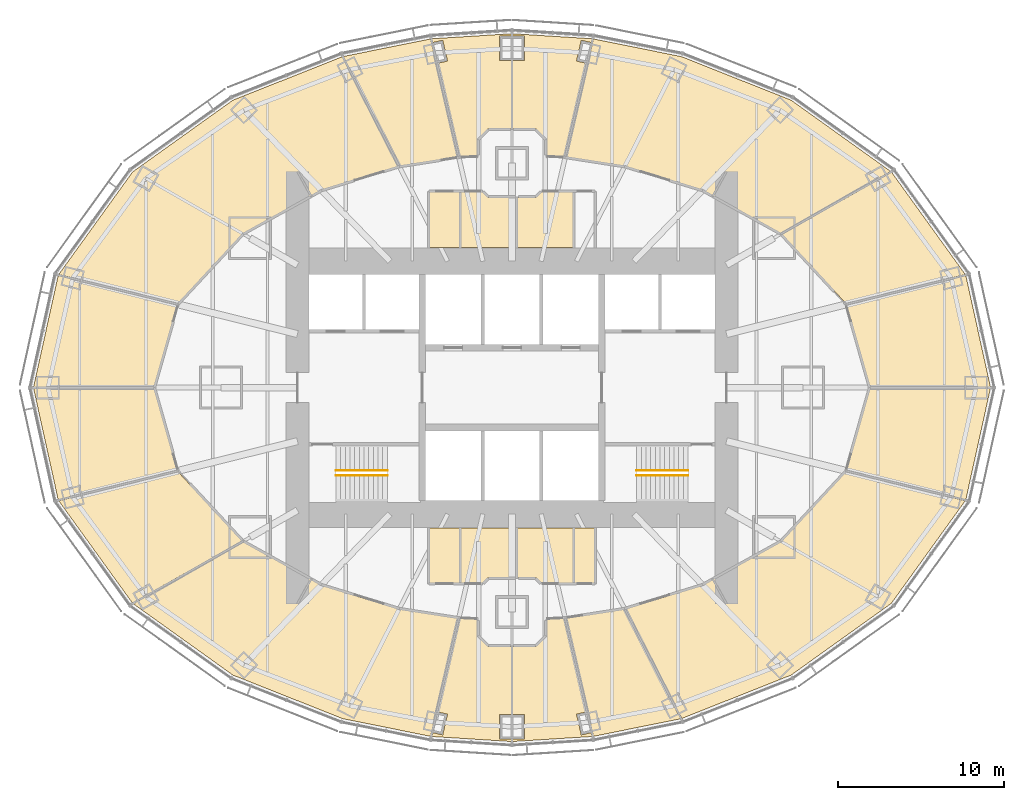
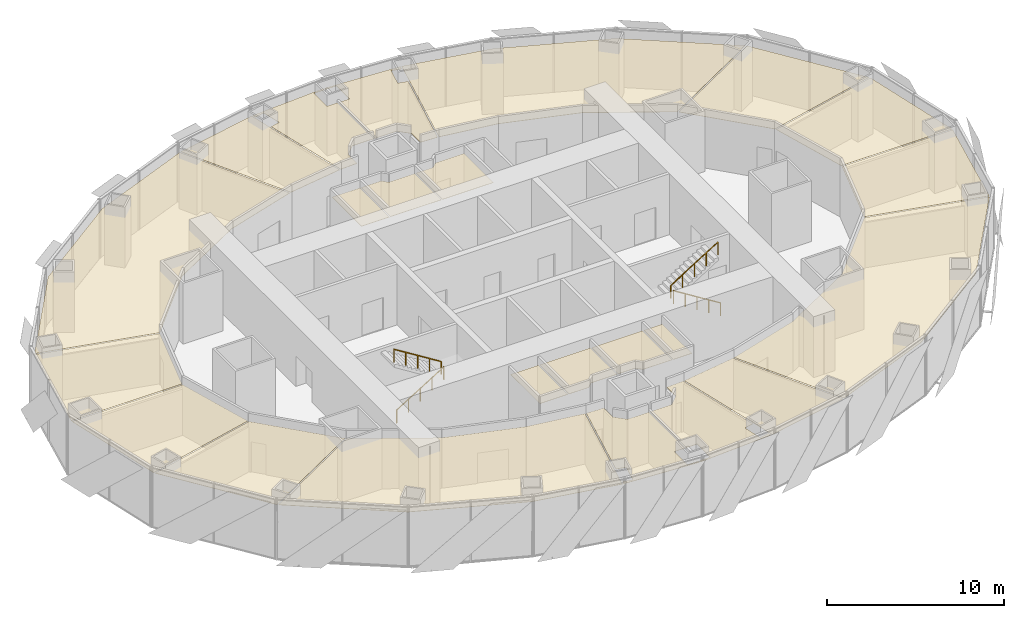
# One storey, part 17 of 17: 23 coverings, 4 railings.
"""IFC4 building model written with IfcOpenShell, lengths in metres."""

from ifc_helpers import new_model, si_unit, direction, frame, origin, origin_2d, place, context, subcontext, project, spatial, polyline, circle, outline, extrude, material, layer, layer_set, type_object, element, save


model = new_model("IFC4")

# Units and contexts
model_context = context("Model", 3, precision=1e-05, world=origin(), true_north=direction((0.0, 1.0)))
body_context = subcontext(model_context, "Body", "Model", "MODEL_VIEW")
ifc_project = project(units=[si_unit("LENGTHUNIT", "METRE"), si_unit("AREAUNIT", "SQUARE_METRE"), si_unit("VOLUMEUNIT", "CUBIC_METRE"), si_unit("PLANEANGLEUNIT", "RADIAN"), si_unit("MASSUNIT", "GRAM", prefix="KILO")], contexts=[model_context])

# Site, building, storey
site_placement = place(None, origin())
site = spatial("IfcSite", under=ifc_project, at=site_placement, CompositionType="ELEMENT")
building_placement = place(site_placement, origin())
building = spatial("IfcBuilding", under=site, at=building_placement, Name="Lantaw Convention Tower", CompositionType="ELEMENT")
storey_placement = place(building_placement, frame((0.0, 0.0, 163.60009765625)))
storey = spatial("IfcBuildingStorey", under=building, at=storey_placement, Name="L38", CompositionType="ELEMENT", Elevation=163.60009765625)

# Railings
ifc_material_1 = material(Name="Stainless steel", Category="steel")
railing_type = type_object("IfcRailingType", Name="Stair handrail", PredefinedType="HANDRAIL", material=ifc_material_1)
railing_1_placement = place(storey_placement, frame((-10.580078125, -5.280029296875, 0.1748046875)))
element("IfcRailing", 1, at=railing_1_placement, inside=storey, type_object=railing_type, Name="Stair handrail S1", PredefinedType="HANDRAIL", context=body_context, shape_type="SweptSolid", body=[
    extrude(circle(Radius=0.02392578125, at=origin_2d()), frame((0.0, 0.0, 0.8759765625), z_axis=(0.847998304005, 0.0, 0.529998940003), x_axis=(0.0, 1.0, 0.0)), (0.0, 0.0, 1.0), 3.632080078125),
    extrude(circle(Radius=0.02099609375, at=origin_2d()), origin(), (0.0, 0.0, 1.0), 0.851806640625),
    extrude(circle(Radius=0.02099609375, at=origin_2d()), frame((0.77001953125, 0.0, 0.481201171875)), (0.0, 0.0, 1.0), 0.851806640625),
    extrude(circle(Radius=0.02099609375, at=origin_2d()), frame((1.5400390625, 0.0, 0.96240234375)), (0.0, 0.0, 1.0), 0.851806640625),
    extrude(circle(Radius=0.02099609375, at=origin_2d()), frame((2.31005859375, 0.0, 1.44384765625)), (0.0, 0.0, 1.0), 0.851806640625),
    extrude(circle(Radius=0.02099609375, at=origin_2d()), frame((3.080078125, 0.0, 1.925048828125)), (0.0, 0.0, 1.0), 0.851806640625),
])
for number, where, name in (
    (2, (-7.5, -4.97998046875, 2.27490234375), "Stair handrail S1"),
    (3, (10.580078125, -5.280029296875, 0.1748046875), "Stair handrail S2"),
):
    element("IfcRailing", number, at=place(storey_placement, frame(where)), inside=storey, type_object=railing_type, Name=name, PredefinedType="HANDRAIL", context=body_context, shape_type="SweptSolid", body=[
        extrude(circle(Radius=0.02392578125, at=origin_2d()), frame((0.0, 0.0, 0.8759765625), z_axis=(-0.847998304005, 0.0, 0.529998940003), x_axis=(0.0, -1.0, 0.0)), (0.0, 0.0, 1.0), 3.632080078125),
        extrude(circle(Radius=0.02099609375, at=origin_2d()), origin(), (0.0, 0.0, 1.0), 0.851806640625),
        extrude(circle(Radius=0.02099609375, at=origin_2d()), frame((-0.77001953125, 0.0, 0.481201171875)), (0.0, 0.0, 1.0), 0.851806640625),
        extrude(circle(Radius=0.02099609375, at=origin_2d()), frame((-1.5400390625, 0.0, 0.96240234375)), (0.0, 0.0, 1.0), 0.851806640625),
        extrude(circle(Radius=0.02099609375, at=origin_2d()), frame((-2.31005859375, 0.0, 1.44384765625)), (0.0, 0.0, 1.0), 0.851806640625),
        extrude(circle(Radius=0.02099609375, at=origin_2d()), frame((-3.080078125, 0.0, 1.925048828125)), (0.0, 0.0, 1.0), 0.851806640625),
    ])
railing_2_placement = place(storey_placement, frame((7.5, -4.97998046875, 2.27490234375)))
element("IfcRailing", 4, at=railing_2_placement, inside=storey, type_object=railing_type, Name="Stair handrail S2", PredefinedType="HANDRAIL", context=body_context, shape_type="SweptSolid", body=[
    extrude(circle(Radius=0.02392578125, at=origin_2d()), frame((0.0, 0.0, 0.8759765625), z_axis=(0.847998304005, 0.0, 0.529998940003), x_axis=(0.0, 1.0, 0.0)), (0.0, 0.0, 1.0), 3.632080078125),
    extrude(circle(Radius=0.02099609375, at=origin_2d()), origin(), (0.0, 0.0, 1.0), 0.851806640625),
    extrude(circle(Radius=0.02099609375, at=origin_2d()), frame((0.77001953125, 0.0, 0.481201171875)), (0.0, 0.0, 1.0), 0.851806640625),
    extrude(circle(Radius=0.02099609375, at=origin_2d()), frame((1.5400390625, 0.0, 0.96240234375)), (0.0, 0.0, 1.0), 0.851806640625),
    extrude(circle(Radius=0.02099609375, at=origin_2d()), frame((2.31005859375, 0.0, 1.44384765625)), (0.0, 0.0, 1.0), 0.851806640625),
    extrude(circle(Radius=0.02099609375, at=origin_2d()), frame((3.080078125, 0.0, 1.925048828125)), (0.0, 0.0, 1.0), 0.851806640625),
])

# Coverings
ifc_material_2 = material(Name="Gypsum board on steel suspension grid", Category="steel")
ifc_layer = layer(ifc_material_2, 0.02001953125)
ifc_layer_set = layer_set([ifc_layer], Name="Suspended ceiling")
covering_type = type_object("IfcCoveringType", Name="Suspended ceiling", PredefinedType="CEILING", material=ifc_layer_set)
covering_1_placement = place(storey_placement, frame((0.0, 0.0, 3.449951171875)))
element("IfcCovering", 5, at=covering_1_placement, inside=storey, type_object=covering_type, Name="Accessible WC ceiling", PredefinedType="CEILING", context=body_context, shape_type="SweptSolid", body=[
    extrude(outline(polyline([(-4.9599609375, 8.43994140625), (-3.139892578125, 8.43994140625), (-3.139892578125, 11.760009765625), (-4.9599609375, 11.760009765625), (-4.9599609375, 8.43994140625)])), origin(), (0.0, 0.0, 1.0), 0.02001953125),
])
covering_2_placement = place(storey_placement, frame((0.0, 0.0, 3.449951171875)))
element("IfcCovering", 6, at=covering_2_placement, inside=storey, type_object=covering_type, Name="Male WC ceiling", PredefinedType="CEILING", context=body_context, shape_type="SweptSolid", body=[
    extrude(outline(polyline([(-3.06005859375, 11.760009765625), (-3.06005859375, 8.43994140625), (0.260009765625, 8.43994140625), (0.260009765625, 11.43505859375), (-1.441162109375, 11.43505859375), (-1.76611328125, 11.760009765625), (-3.06005859375, 11.760009765625)])), origin(), (0.0, 0.0, 1.0), 0.02001953125),
])
covering_3_placement = place(storey_placement, frame((0.0, 0.0, 3.449951171875)))
element("IfcCovering", 7, at=covering_3_placement, inside=storey, type_object=covering_type, Name="Female WC ceiling", PredefinedType="CEILING", context=body_context, shape_type="SweptSolid", body=[
    extrude(outline(polyline([(0.340087890625, 11.43505859375), (0.340087890625, 8.43994140625), (3.659912109375, 8.43994140625), (3.659912109375, 11.760009765625), (1.76611328125, 11.760009765625), (1.441162109375, 11.43505859375), (0.340087890625, 11.43505859375)])), origin(), (0.0, 0.0, 1.0), 0.02001953125),
])
covering_4_placement = place(storey_placement, frame((0.0, 0.0, 3.449951171875)))
element("IfcCovering", 8, at=covering_4_placement, inside=storey, type_object=covering_type, Name="Accessible WC ceiling", PredefinedType="CEILING", context=body_context, shape_type="SweptSolid", body=[
    extrude(outline(polyline([(-4.9599609375, -11.760009765625), (-3.139892578125, -11.760009765625), (-3.139892578125, -8.43994140625), (-4.9599609375, -8.43994140625), (-4.9599609375, -11.760009765625)])), origin(), (0.0, 0.0, 1.0), 0.02001953125),
])
covering_5_placement = place(storey_placement, frame((0.0, 0.0, 3.449951171875)))
element("IfcCovering", 9, at=covering_5_placement, inside=storey, type_object=covering_type, Name="Male WC ceiling", PredefinedType="CEILING", context=body_context, shape_type="SweptSolid", body=[
    extrude(outline(polyline([(-3.06005859375, -8.43994140625), (-3.06005859375, -11.760009765625), (-1.76611328125, -11.760009765625), (-1.441162109375, -11.43505859375), (0.260009765625, -11.43505859375), (0.260009765625, -8.43994140625), (-3.06005859375, -8.43994140625)])), origin(), (0.0, 0.0, 1.0), 0.02001953125),
])
covering_6_placement = place(storey_placement, frame((0.0, 0.0, 3.449951171875)))
element("IfcCovering", 10, at=covering_6_placement, inside=storey, type_object=covering_type, Name="Female WC ceiling", PredefinedType="CEILING", context=body_context, shape_type="SweptSolid", body=[
    extrude(outline(polyline([(0.340087890625, -8.43994140625), (0.340087890625, -11.43505859375), (1.441162109375, -11.43505859375), (1.76611328125, -11.760009765625), (3.659912109375, -11.760009765625), (3.659912109375, -8.43994140625), (0.340087890625, -8.43994140625)])), origin(), (0.0, 0.0, 1.0), 0.02001953125),
])
covering_7_placement = place(storey_placement, frame((0.0, 0.0, 3.449951171875)))
element("IfcCovering", 11, at=covering_7_placement, inside=storey, type_object=covering_type, Name="Pantry ceiling", PredefinedType="CEILING", context=body_context, shape_type="SweptSolid", body=[
    extrude(outline(polyline([(3.739990234375, -11.760009765625), (4.9599609375, -11.760009765625), (4.9599609375, -8.43994140625), (3.739990234375, -8.43994140625), (3.739990234375, -11.760009765625)])), origin(), (0.0, 0.0, 1.0), 0.02001953125),
])
covering_8_placement = place(storey_placement, frame((0.0, 0.0, 3.449951171875)))
element("IfcCovering", 12, at=covering_8_placement, inside=storey, type_object=covering_type, Name="Meeting room ceiling", PredefinedType="CEILING", context=body_context, shape_type="SweptSolid", body=[
    extrude(outline(polyline([(21.5302734375, 0.0400390625), (28.77099609375, 0.0400390625), (27.2939453125, 6.731689453125), (20.128173828125, 4.97705078125), (21.5302734375, 0.0400390625)])), origin(), (0.0, 0.0, 1.0), 0.02001953125),
])
covering_9_placement = place(storey_placement, frame((0.0, 0.0, 3.449951171875)))
element("IfcCovering", 13, at=covering_9_placement, inside=storey, type_object=covering_type, Name="Private office ceiling", PredefinedType="CEILING", context=body_context, shape_type="SweptSolid", body=[
    extrude(outline(polyline([(20.091796875, 5.050537109375), (27.257080078125, 6.80517578125), (22.832275390625, 12.947265625), (16.2236328125, 9.224365234375), (20.091796875, 5.050537109375)])), origin(), (0.0, 0.0, 1.0), 0.02001953125),
])
covering_10_placement = place(storey_placement, frame((0.0, 0.0, 3.449951171875)))
element("IfcCovering", 14, at=covering_10_placement, inside=storey, type_object=covering_type, Name="Tenant suite ceiling", PredefinedType="CEILING", context=body_context, shape_type="SweptSolid", body=[
    extrude(outline(polyline([(16.159912109375, 9.280029296875), (22.76953125, 13.003662109375), (16.778076171875, 17.29150390625), (10.1865234375, 19.90576171875), (4.899658203125, 20.970947265625), (3.244873046875, 13.87744140625), (6.779541015625, 13.326904296875), (11.460693359375, 11.888671875), (16.159912109375, 9.280029296875)])), origin(), (0.0, 0.0, 1.0), 0.02001953125),
])
covering_11_placement = place(storey_placement, frame((0.0, 0.0, 3.449951171875)))
element("IfcCovering", 15, at=covering_11_placement, inside=storey, type_object=covering_type, Name="Pantry ceiling", PredefinedType="CEILING", context=body_context, shape_type="SweptSolid", body=[
    extrude(outline(polyline([(2.06494140625, 14.941162109375), (2.06494140625, 13.939453125), (3.164794921875, 13.885986328125), (4.47509765625, 19.50244140625), (3.87744140625, 19.640380859375), (4.16552734375, 20.8876953125), (4.765869140625, 20.7490234375), (4.81982421875, 20.98095703125), (0.0400390625, 21.281982421875), (0.0400390625, 21.139892578125), (0.739990234375, 21.139892578125), (0.739990234375, 19.659912109375), (0.0400390625, 19.659912109375), (0.0400390625, 15.56494140625), (1.441162109375, 15.56494140625), (2.06494140625, 14.941162109375)])), origin(), (0.0, 0.0, 1.0), 0.02001953125),
])
covering_12_placement = place(storey_placement, frame((0.0, 0.0, 3.449951171875)))
element("IfcCovering", 16, at=covering_12_placement, inside=storey, type_object=covering_type, Name="Meeting room ceiling", PredefinedType="CEILING", context=body_context, shape_type="SweptSolid", body=[
    extrude(outline(polyline([(-4.47509765625, 19.50244140625), (-3.164794921875, 13.885986328125), (-2.06494140625, 13.939453125), (-2.06494140625, 14.941162109375), (-1.441162109375, 15.56494140625), (-0.0400390625, 15.56494140625), (-0.0400390625, 19.659912109375), (-0.739990234375, 19.659912109375), (-0.739990234375, 21.139892578125), (-0.0400390625, 21.139892578125), (-0.0400390625, 21.281982421875), (-4.81982421875, 20.98095703125), (-4.765869140625, 20.7490234375), (-4.16552734375, 20.8876953125), (-3.87744140625, 19.640380859375), (-4.47509765625, 19.50244140625)])), origin(), (0.0, 0.0, 1.0), 0.02001953125),
])
covering_13_placement = place(storey_placement, frame((0.0, 0.0, 3.449951171875)))
element("IfcCovering", 17, at=covering_13_placement, inside=storey, type_object=covering_type, Name="Private office ceiling", PredefinedType="CEILING", context=body_context, shape_type="SweptSolid", body=[
    extrude(outline(polyline([(-3.244873046875, 13.87744140625), (-4.899658203125, 20.970947265625), (-10.13818359375, 19.91552734375), (-6.748046875, 13.331787109375), (-3.244873046875, 13.87744140625)])), origin(), (0.0, 0.0, 1.0), 0.02001953125),
])
covering_14_placement = place(storey_placement, frame((0.0, 0.0, 3.449951171875)))
element("IfcCovering", 18, at=covering_14_placement, inside=storey, type_object=covering_type, Name="Tenant suite ceiling", PredefinedType="CEILING", context=body_context, shape_type="SweptSolid", body=[
    extrude(outline(polyline([(-6.827880859375, 13.31201171875), (-10.217041015625, 19.893798828125), (-16.778076171875, 17.29150390625), (-22.815185546875, 12.970947265625), (-27.257080078125, 6.80517578125), (-20.091796875, 5.050537109375), (-16.18505859375, 9.26611328125), (-11.460693359375, 11.888671875), (-6.827880859375, 13.31201171875)])), origin(), (0.0, 0.0, 1.0), 0.02001953125),
])
covering_15_placement = place(storey_placement, frame((0.0, 0.0, 3.449951171875)))
element("IfcCovering", 19, at=covering_15_placement, inside=storey, type_object=covering_type, Name="Pantry ceiling", PredefinedType="CEILING", context=body_context, shape_type="SweptSolid", body=[
    extrude(outline(polyline([(-20.128173828125, 4.97705078125), (-27.2939453125, 6.731689453125), (-28.77099609375, 0.0400390625), (-21.5302734375, 0.0400390625), (-20.128173828125, 4.97705078125)])), origin(), (0.0, 0.0, 1.0), 0.02001953125),
])
covering_16_placement = place(storey_placement, frame((0.0, 0.0, 3.449951171875)))
element("IfcCovering", 20, at=covering_16_placement, inside=storey, type_object=covering_type, Name="Meeting room ceiling", PredefinedType="CEILING", context=body_context, shape_type="SweptSolid", body=[
    extrude(outline(polyline([(-21.5302734375, -0.0400390625), (-28.77099609375, -0.0400390625), (-27.2939453125, -6.731689453125), (-20.128173828125, -4.97705078125), (-21.5302734375, -0.0400390625)])), origin(), (0.0, 0.0, 1.0), 0.02001953125),
])
covering_17_placement = place(storey_placement, frame((0.0, 0.0, 3.449951171875)))
element("IfcCovering", 21, at=covering_17_placement, inside=storey, type_object=covering_type, Name="Private office ceiling", PredefinedType="CEILING", context=body_context, shape_type="SweptSolid", body=[
    extrude(outline(polyline([(-20.091796875, -5.050537109375), (-27.257080078125, -6.80517578125), (-22.832275390625, -12.947265625), (-16.2236328125, -9.224365234375), (-20.091796875, -5.050537109375)])), origin(), (0.0, 0.0, 1.0), 0.02001953125),
])
covering_18_placement = place(storey_placement, frame((0.0, 0.0, 3.449951171875)))
element("IfcCovering", 22, at=covering_18_placement, inside=storey, type_object=covering_type, Name="Tenant suite ceiling", PredefinedType="CEILING", context=body_context, shape_type="SweptSolid", body=[
    extrude(outline(polyline([(-16.159912109375, -9.280029296875), (-22.76953125, -13.003662109375), (-16.778076171875, -17.29150390625), (-10.1865234375, -19.90576171875), (-4.899658203125, -20.970947265625), (-3.244873046875, -13.87744140625), (-6.779541015625, -13.326904296875), (-11.460693359375, -11.888671875), (-16.159912109375, -9.280029296875)])), origin(), (0.0, 0.0, 1.0), 0.02001953125),
])
covering_19_placement = place(storey_placement, frame((0.0, 0.0, 3.449951171875)))
element("IfcCovering", 23, at=covering_19_placement, inside=storey, type_object=covering_type, Name="Pantry ceiling", PredefinedType="CEILING", context=body_context, shape_type="SweptSolid", body=[
    extrude(outline(polyline([(-2.06494140625, -14.941162109375), (-2.06494140625, -13.939453125), (-3.164794921875, -13.885986328125), (-4.47509765625, -19.50244140625), (-3.87744140625, -19.640380859375), (-4.16552734375, -20.8876953125), (-4.765869140625, -20.7490234375), (-4.81982421875, -20.98095703125), (-0.0400390625, -21.281982421875), (-0.0400390625, -21.139892578125), (-0.739990234375, -21.139892578125), (-0.739990234375, -19.659912109375), (-0.0400390625, -19.659912109375), (-0.0400390625, -15.56494140625), (-1.441162109375, -15.56494140625), (-2.06494140625, -14.941162109375)])), origin(), (0.0, 0.0, 1.0), 0.02001953125),
])
covering_20_placement = place(storey_placement, frame((0.0, 0.0, 3.449951171875)))
element("IfcCovering", 24, at=covering_20_placement, inside=storey, type_object=covering_type, Name="Meeting room ceiling", PredefinedType="CEILING", context=body_context, shape_type="SweptSolid", body=[
    extrude(outline(polyline([(4.47509765625, -19.50244140625), (3.164794921875, -13.885986328125), (2.06494140625, -13.939453125), (2.06494140625, -14.941162109375), (1.441162109375, -15.56494140625), (0.0400390625, -15.56494140625), (0.0400390625, -19.659912109375), (0.739990234375, -19.659912109375), (0.739990234375, -21.139892578125), (0.0400390625, -21.139892578125), (0.0400390625, -21.281982421875), (4.81982421875, -20.98095703125), (4.765869140625, -20.7490234375), (4.16552734375, -20.8876953125), (3.87744140625, -19.640380859375), (4.47509765625, -19.50244140625)])), origin(), (0.0, 0.0, 1.0), 0.02001953125),
])
covering_21_placement = place(storey_placement, frame((0.0, 0.0, 3.449951171875)))
element("IfcCovering", 25, at=covering_21_placement, inside=storey, type_object=covering_type, Name="Private office ceiling", PredefinedType="CEILING", context=body_context, shape_type="SweptSolid", body=[
    extrude(outline(polyline([(3.244873046875, -13.87744140625), (4.899658203125, -20.970947265625), (10.13818359375, -19.91552734375), (6.748046875, -13.331787109375), (3.244873046875, -13.87744140625)])), origin(), (0.0, 0.0, 1.0), 0.02001953125),
])
covering_22_placement = place(storey_placement, frame((0.0, 0.0, 3.449951171875)))
element("IfcCovering", 26, at=covering_22_placement, inside=storey, type_object=covering_type, Name="Tenant suite ceiling", PredefinedType="CEILING", context=body_context, shape_type="SweptSolid", body=[
    extrude(outline(polyline([(6.827880859375, -13.31201171875), (10.217041015625, -19.893798828125), (16.778076171875, -17.29150390625), (22.815185546875, -12.970947265625), (27.257080078125, -6.80517578125), (20.091796875, -5.050537109375), (16.18505859375, -9.26611328125), (11.460693359375, -11.888671875), (6.827880859375, -13.31201171875)])), origin(), (0.0, 0.0, 1.0), 0.02001953125),
])
covering_23_placement = place(storey_placement, frame((0.0, 0.0, 3.449951171875)))
element("IfcCovering", 27, at=covering_23_placement, inside=storey, type_object=covering_type, Name="Pantry ceiling", PredefinedType="CEILING", context=body_context, shape_type="SweptSolid", body=[
    extrude(outline(polyline([(20.128173828125, -4.97705078125), (27.2939453125, -6.731689453125), (28.77099609375, -0.0400390625), (21.5302734375, -0.0400390625), (20.128173828125, -4.97705078125)])), origin(), (0.0, 0.0, 1.0), 0.02001953125),
])

save(model, "model.ifc")
